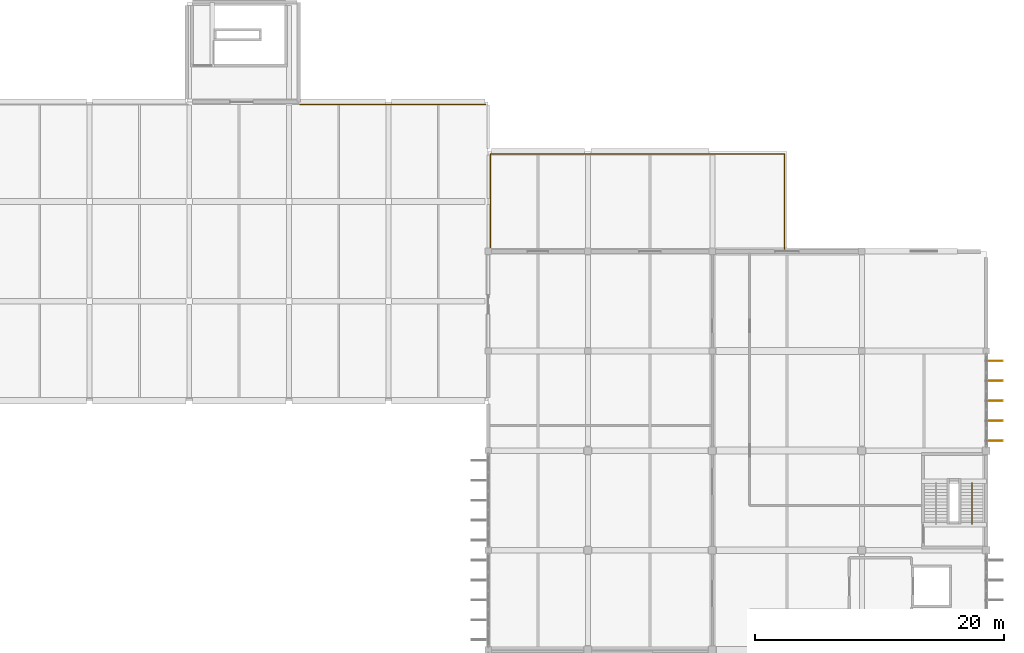
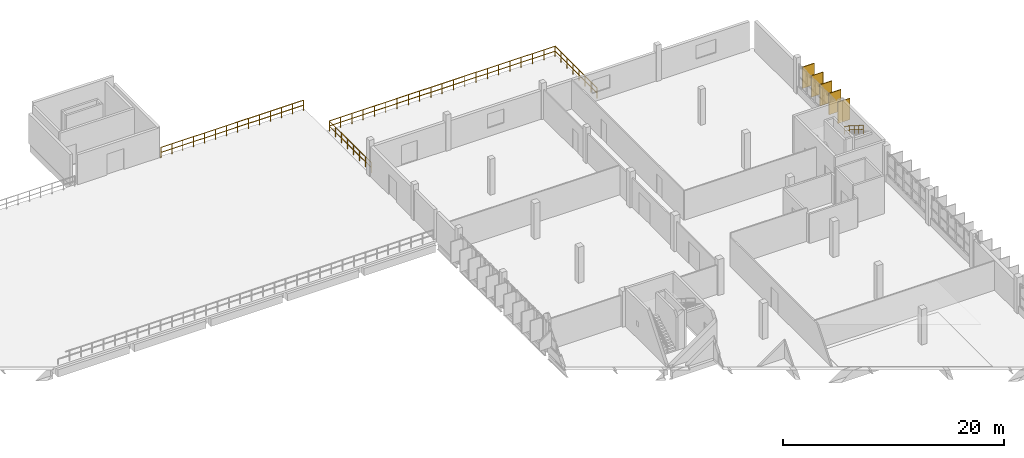
# One storey, part 66 of 66: 5 coverings, 5 railings, 5 shading devices.
"""IFC4 building model written with IfcOpenShell, lengths in metres."""

from ifc_helpers import new_model, si_unit, direction, frame, origin, origin_2d, place, context, subcontext, project, spatial, rectangle, circle, extrude, material, type_object, element, save


model = new_model("IFC4")

# Units and contexts
model_context = context("Model", 3, precision=1e-05, world=origin(), true_north=direction((0.0, 1.0)))
body_context = subcontext(model_context, "Body", "Model", "MODEL_VIEW")
ifc_project = project(units=[si_unit("LENGTHUNIT", "METRE"), si_unit("AREAUNIT", "SQUARE_METRE"), si_unit("VOLUMEUNIT", "CUBIC_METRE"), si_unit("PLANEANGLEUNIT", "RADIAN"), si_unit("MASSUNIT", "GRAM", prefix="KILO")], contexts=[model_context])

# Site, building, storey
site_placement = place(None, origin())
site = spatial("IfcSite", under=ifc_project, at=site_placement, CompositionType="ELEMENT")
building_placement = place(site_placement, origin())
building = spatial("IfcBuilding", under=site, at=building_placement, Name="Drelvana Railside Aquatics Centre", CompositionType="ELEMENT")
storey_placement = place(building_placement, frame((0.0, 0.0, 10.199951171875)))
storey = spatial("IfcBuildingStorey", under=building, at=storey_placement, Name="L02", CompositionType="ELEMENT", Elevation=10.199951171875)

# Coverings
ifc_material_1 = material(Name="Bronze-anodised extruded aluminium 6063-T6", Category="aluminium")
covering_type = type_object("IfcCoveringType", Name="COV-FIN-ALU", PredefinedType="CLADDING", material=ifc_material_1)
for number, where, z_axis, x_axis, name in (
    (1, (184.669921875, 80.800048828125, 0.85009765625), (0.0, 0.0, 1.0), (0.0, -1.0, 0.0), "Vertical aluminium fin cladding CF-0811"),
    (2, (184.669921875, 82.39990234375, 0.85009765625), (0.0, 0.0, 1.0), (0.0, -1.0, 0.0), "Vertical aluminium fin cladding CF-0812"),
    (3, (184.669921875, 84.0, 0.85009765625), (0.0, 0.0, 1.0), (0.0, -1.0, 0.0), "Vertical aluminium fin cladding CF-0813"),
    (4, (184.669921875, 85.60009765625, 0.85009765625), (0.0, 0.0, 1.0), (0.0, -1.0, 0.0), "Vertical aluminium fin cladding CF-0814"),
    (5, (184.669921875, 87.199951171875, 0.85009765625), (0.0, 0.0, 1.0), (0.0, -1.0, 0.0), "Vertical aluminium fin cladding CF-0815"),
):
    element("IfcCovering", number, at=place(storey_placement, frame(where, z_axis=z_axis, x_axis=x_axis)), inside=storey, type_object=covering_type, Name=name, PredefinedType="CLADDING", context=body_context, shape_type="SweptSolid", body=[
        extrude(rectangle(XDim=0.0849609375, YDim=1.25, at=origin_2d()), origin(), (0.0, 0.0, 1.0), 2.35009765625),
    ])

# Railings
ifc_material_2 = material(Name="Bronze-anodised stainless steel balustrade", Category="steel")
railing_type_1 = type_object("IfcRailingType", Name="RAL-GUARD-TER-1100", PredefinedType="GUARDRAIL", material=ifc_material_2)
railing_1_placement = place(storey_placement, frame((128.89990234375, 107.800048828125, 0.0)))
element("IfcRailing", 6, at=railing_1_placement, inside=storey, type_object=railing_type_1, Name="Roof-Garden Terrace guard rail 4", PredefinedType="GUARDRAIL", context=body_context, shape_type="SweptSolid", body=[
    extrude(circle(Radius=0.02392578125, at=origin_2d()), frame((0.0, 0.0, 1.1259765625), z_axis=(1.0, 0.0, 0.0), x_axis=(0.0, 1.0, 0.0)), (0.0, 0.0, 1.0), 14.900146484375),
    extrude(circle(Radius=0.02392578125, at=origin_2d()), frame((0.0, 0.0, 0.574951171875), z_axis=(1.0, 0.0, 0.0), x_axis=(0.0, 1.0, 0.0)), (0.0, 0.0, 1.0), 14.900146484375),
    extrude(circle(Radius=0.02099609375, at=origin_2d()), origin(), (0.0, 0.0, 1.0), 1.101806640625),
    extrude(circle(Radius=0.02099609375, at=origin_2d()), frame((1.146240234375, 0.0, 0.0)), (0.0, 0.0, 1.0), 1.101806640625),
    extrude(circle(Radius=0.02099609375, at=origin_2d()), frame((2.292236328125, 0.0, 0.0)), (0.0, 0.0, 1.0), 1.101806640625),
    extrude(circle(Radius=0.02099609375, at=origin_2d()), frame((3.4384765625, 0.0, 0.0)), (0.0, 0.0, 1.0), 1.101806640625),
    extrude(circle(Radius=0.02099609375, at=origin_2d()), frame((4.584716796875, 0.0, 0.0)), (0.0, 0.0, 1.0), 1.101806640625),
    extrude(circle(Radius=0.02099609375, at=origin_2d()), frame((5.730712890625, 0.0, 0.0)), (0.0, 0.0, 1.0), 1.101806640625),
    extrude(circle(Radius=0.02099609375, at=origin_2d()), frame((6.876953125, 0.0, 0.0)), (0.0, 0.0, 1.0), 1.101806640625),
    extrude(circle(Radius=0.02099609375, at=origin_2d()), frame((8.023193359375, 0.0, 0.0)), (0.0, 0.0, 1.0), 1.101806640625),
    extrude(circle(Radius=0.02099609375, at=origin_2d()), frame((9.16943359375, 0.0, 0.0)), (0.0, 0.0, 1.0), 1.101806640625),
    extrude(circle(Radius=0.02099609375, at=origin_2d()), frame((10.3154296875, 0.0, 0.0)), (0.0, 0.0, 1.0), 1.101806640625),
    extrude(circle(Radius=0.02099609375, at=origin_2d()), frame((11.461669921875, 0.0, 0.0)), (0.0, 0.0, 1.0), 1.101806640625),
    extrude(circle(Radius=0.02099609375, at=origin_2d()), frame((12.60791015625, 0.0, 0.0)), (0.0, 0.0, 1.0), 1.101806640625),
    extrude(circle(Radius=0.02099609375, at=origin_2d()), frame((13.75390625, 0.0, 0.0)), (0.0, 0.0, 1.0), 1.101806640625),
    extrude(circle(Radius=0.02099609375, at=origin_2d()), frame((14.900146484375, 0.0, 0.0)), (0.0, 0.0, 1.0), 1.101806640625),
])
railing_2_placement = place(storey_placement, frame((144.199951171875, 103.800048828125, 0.0)))
element("IfcRailing", 7, at=railing_2_placement, inside=storey, type_object=railing_type_1, Name="L02 terrace perimeter guard rail 1", PredefinedType="GUARDRAIL", context=body_context, shape_type="SweptSolid", body=[
    extrude(circle(Radius=0.02392578125, at=origin_2d()), frame((0.0, 0.0, 1.1259765625), z_axis=(1.0, 0.0, 0.0), x_axis=(0.0, 1.0, 0.0)), (0.0, 0.0, 1.0), 23.60009765625),
    extrude(circle(Radius=0.02392578125, at=origin_2d()), frame((0.0, 0.0, 0.574951171875), z_axis=(1.0, 0.0, 0.0), x_axis=(0.0, 1.0, 0.0)), (0.0, 0.0, 1.0), 23.60009765625),
    extrude(circle(Radius=0.02099609375, at=origin_2d()), origin(), (0.0, 0.0, 1.0), 1.101806640625),
    extrude(circle(Radius=0.02099609375, at=origin_2d()), frame((1.179931640625, 0.0, 0.0)), (0.0, 0.0, 1.0), 1.101806640625),
    extrude(circle(Radius=0.02099609375, at=origin_2d()), frame((2.360107421875, 0.0, 0.0)), (0.0, 0.0, 1.0), 1.101806640625),
    extrude(circle(Radius=0.02099609375, at=origin_2d()), frame((3.5400390625, 0.0, 0.0)), (0.0, 0.0, 1.0), 1.101806640625),
    extrude(circle(Radius=0.02099609375, at=origin_2d()), frame((4.719970703125, 0.0, 0.0)), (0.0, 0.0, 1.0), 1.101806640625),
    extrude(circle(Radius=0.02099609375, at=origin_2d()), frame((5.89990234375, 0.0, 0.0)), (0.0, 0.0, 1.0), 1.101806640625),
    extrude(circle(Radius=0.02099609375, at=origin_2d()), frame((7.080078125, 0.0, 0.0)), (0.0, 0.0, 1.0), 1.101806640625),
    extrude(circle(Radius=0.02099609375, at=origin_2d()), frame((8.260009765625, 0.0, 0.0)), (0.0, 0.0, 1.0), 1.101806640625),
    extrude(circle(Radius=0.02099609375, at=origin_2d()), frame((9.43994140625, 0.0, 0.0)), (0.0, 0.0, 1.0), 1.101806640625),
    extrude(circle(Radius=0.02099609375, at=origin_2d()), frame((10.6201171875, 0.0, 0.0)), (0.0, 0.0, 1.0), 1.101806640625),
    extrude(circle(Radius=0.02099609375, at=origin_2d()), frame((11.800048828125, 0.0, 0.0)), (0.0, 0.0, 1.0), 1.101806640625),
    extrude(circle(Radius=0.02099609375, at=origin_2d()), frame((12.97998046875, 0.0, 0.0)), (0.0, 0.0, 1.0), 1.101806640625),
    extrude(circle(Radius=0.02099609375, at=origin_2d()), frame((14.16015625, 0.0, 0.0)), (0.0, 0.0, 1.0), 1.101806640625),
    extrude(circle(Radius=0.02099609375, at=origin_2d()), frame((15.340087890625, 0.0, 0.0)), (0.0, 0.0, 1.0), 1.101806640625),
    extrude(circle(Radius=0.02099609375, at=origin_2d()), frame((16.52001953125, 0.0, 0.0)), (0.0, 0.0, 1.0), 1.101806640625),
    extrude(circle(Radius=0.02099609375, at=origin_2d()), frame((17.7001953125, 0.0, 0.0)), (0.0, 0.0, 1.0), 1.101806640625),
    extrude(circle(Radius=0.02099609375, at=origin_2d()), frame((18.880126953125, 0.0, 0.0)), (0.0, 0.0, 1.0), 1.101806640625),
    extrude(circle(Radius=0.02099609375, at=origin_2d()), frame((20.06005859375, 0.0, 0.0)), (0.0, 0.0, 1.0), 1.101806640625),
    extrude(circle(Radius=0.02099609375, at=origin_2d()), frame((21.239990234375, 0.0, 0.0)), (0.0, 0.0, 1.0), 1.101806640625),
    extrude(circle(Radius=0.02099609375, at=origin_2d()), frame((22.420166015625, 0.0, 0.0)), (0.0, 0.0, 1.0), 1.101806640625),
    extrude(circle(Radius=0.02099609375, at=origin_2d()), frame((23.60009765625, 0.0, 0.0)), (0.0, 0.0, 1.0), 1.101806640625),
])
for number, where, name in (
    (8, (167.800048828125, 96.199951171875, 0.0), "L02 terrace perimeter guard rail 2"),
    (9, (144.199951171875, 96.199951171875, 0.0), "L02 terrace perimeter guard rail 3"),
):
    element("IfcRailing", number, at=place(storey_placement, frame(where)), inside=storey, type_object=railing_type_1, Name=name, PredefinedType="GUARDRAIL", context=body_context, shape_type="SweptSolid", body=[
        extrude(circle(Radius=0.02392578125, at=origin_2d()), frame((0.0, 0.0, 1.1259765625), z_axis=(0.0, 1.0, 0.0), x_axis=(-1.0, 0.0, 0.0)), (0.0, 0.0, 1.0), 7.60009765625),
        extrude(circle(Radius=0.02392578125, at=origin_2d()), frame((0.0, 0.0, 0.574951171875), z_axis=(0.0, 1.0, 0.0), x_axis=(-1.0, 0.0, 0.0)), (0.0, 0.0, 1.0), 7.60009765625),
        extrude(circle(Radius=0.02099609375, at=origin_2d()), origin(), (0.0, 0.0, 1.0), 1.101806640625),
        extrude(circle(Radius=0.02099609375, at=origin_2d()), frame((0.0, 1.085693359375, 0.0)), (0.0, 0.0, 1.0), 1.101806640625),
        extrude(circle(Radius=0.02099609375, at=origin_2d()), frame((0.0, 2.17138671875, 0.0)), (0.0, 0.0, 1.0), 1.101806640625),
        extrude(circle(Radius=0.02099609375, at=origin_2d()), frame((0.0, 3.257080078125, 0.0)), (0.0, 0.0, 1.0), 1.101806640625),
        extrude(circle(Radius=0.02099609375, at=origin_2d()), frame((0.0, 4.343017578125, 0.0)), (0.0, 0.0, 1.0), 1.101806640625),
        extrude(circle(Radius=0.02099609375, at=origin_2d()), frame((0.0, 5.4287109375, 0.0)), (0.0, 0.0, 1.0), 1.101806640625),
        extrude(circle(Radius=0.02099609375, at=origin_2d()), frame((0.0, 6.514404296875, 0.0)), (0.0, 0.0, 1.0), 1.101806640625),
        extrude(circle(Radius=0.02099609375, at=origin_2d()), frame((0.0, 7.60009765625, 0.0)), (0.0, 0.0, 1.0), 1.101806640625),
    ])
ifc_material_3 = material(Name="Brushed stainless steel stair pitch handrail", Category="steel")
railing_type_2 = type_object("IfcRailingType", Name="RAL-HANDRAIL-950", PredefinedType="HANDRAIL", material=ifc_material_3)
railing_3_placement = place(storey_placement, frame((182.85009765625, 77.405029296875, 2.10009765625)))
element("IfcRailing", 10, at=railing_3_placement, inside=storey, type_object=railing_type_2, Name="Stair ST-07 flight 2 handrail (L02)", PredefinedType="HANDRAIL", context=body_context, shape_type="SweptSolid", body=[
    extrude(circle(Radius=0.02392578125, at=origin_2d()), frame((0.0, 0.0, 0.92578125), z_axis=(0.0, -0.844774075467, 0.535123127345), x_axis=(1.0, 0.0, 0.0)), (0.0, 0.0, 1.0), 3.924072265625),
    extrude(circle(Radius=0.02392578125, at=origin_2d()), frame((0.0, 0.0, 0.47509765625), z_axis=(0.0, -0.844774075467, 0.535123127345), x_axis=(1.0, 0.0, 0.0)), (0.0, 0.0, 1.0), 3.924072265625),
    extrude(circle(Radius=0.02099609375, at=origin_2d()), origin(), (0.0, 0.0, 1.0), 0.90185546875),
    extrude(circle(Radius=0.02099609375, at=origin_2d()), frame((0.0, -0.82861328125, 0.52490234375)), (0.0, 0.0, 1.0), 0.90185546875),
    extrude(circle(Radius=0.02099609375, at=origin_2d()), frame((0.0, -1.657470703125, 1.0498046875)), (0.0, 0.0, 1.0), 0.90185546875),
    extrude(circle(Radius=0.02099609375, at=origin_2d()), frame((0.0, -2.486328125, 1.574951171875)), (0.0, 0.0, 1.0), 0.90185546875),
    extrude(circle(Radius=0.02099609375, at=origin_2d()), frame((0.0, -3.31494140625, 2.099853515625)), (0.0, 0.0, 1.0), 0.90185546875),
])

# Shading devices
shading_device_type = type_object("IfcShadingDeviceType", Name="SHD-FIN-1250", PredefinedType="USERDEFINED", material=ifc_material_1)
for number, where, z_axis, x_axis, name in (
    (11, (184.68994140625, 80.800048828125, 0.85009765625), (0.0, 0.0, 1.0), (1.0, 0.0, 0.0), "Vertical bronze shading fin FN-0818"),
    (12, (184.68994140625, 82.39990234375, 0.85009765625), (0.0, 0.0, 1.0), (1.0, 0.0, 0.0), "Vertical bronze shading fin FN-0819"),
    (13, (184.68994140625, 84.0, 0.85009765625), (0.0, 0.0, 1.0), (1.0, 0.0, 0.0), "Vertical bronze shading fin FN-0820"),
    (14, (184.68994140625, 85.60009765625, 0.85009765625), (0.0, 0.0, 1.0), (1.0, 0.0, 0.0), "Vertical bronze shading fin FN-0821"),
    (15, (184.68994140625, 87.199951171875, 0.85009765625), (0.0, 0.0, 1.0), (1.0, 0.0, 0.0), "Vertical bronze shading fin FN-0822"),
):
    element("IfcShadingDevice", number, at=place(storey_placement, frame(where, z_axis=z_axis, x_axis=x_axis)), inside=storey, type_object=shading_device_type, Name=name, ObjectType="FIN", PredefinedType="USERDEFINED", context=body_context, shape_type="SweptSolid", body=[
        extrude(rectangle(XDim=1.25, YDim=0.06494140625, at=origin_2d()), origin(), (0.0, 0.0, 1.0), 2.35009765625),
    ])

save(model, "model.ifc")
